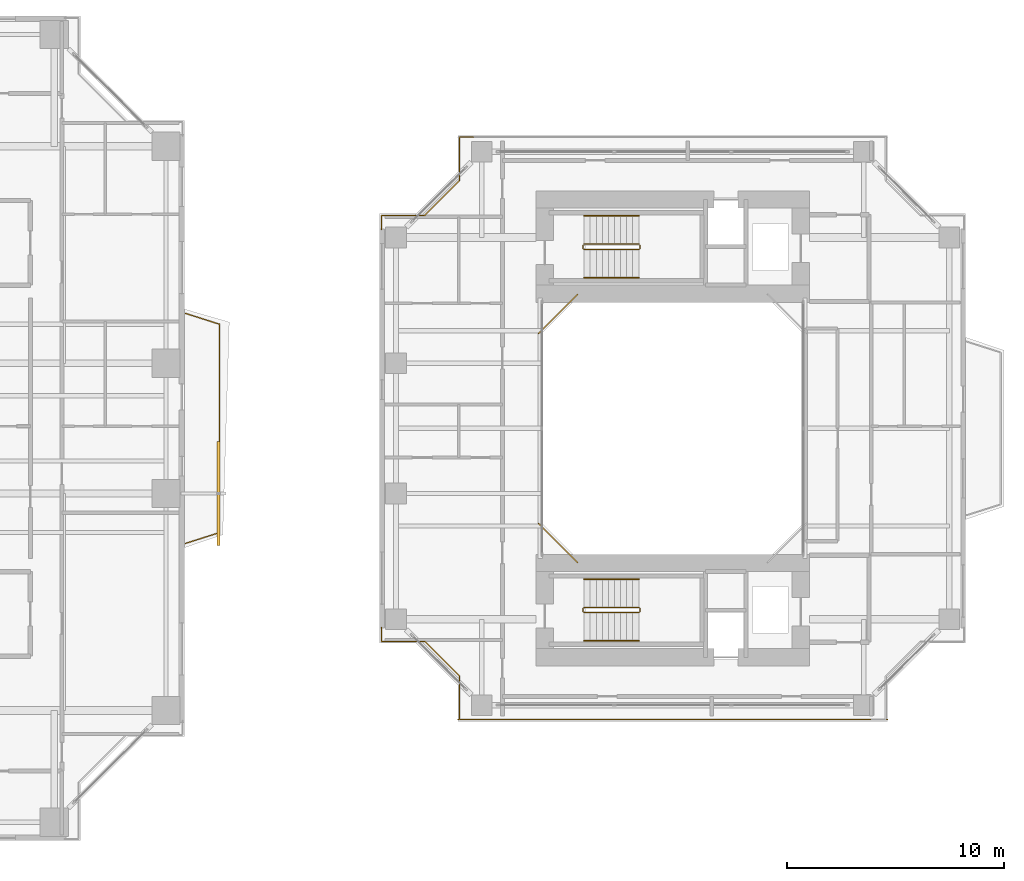
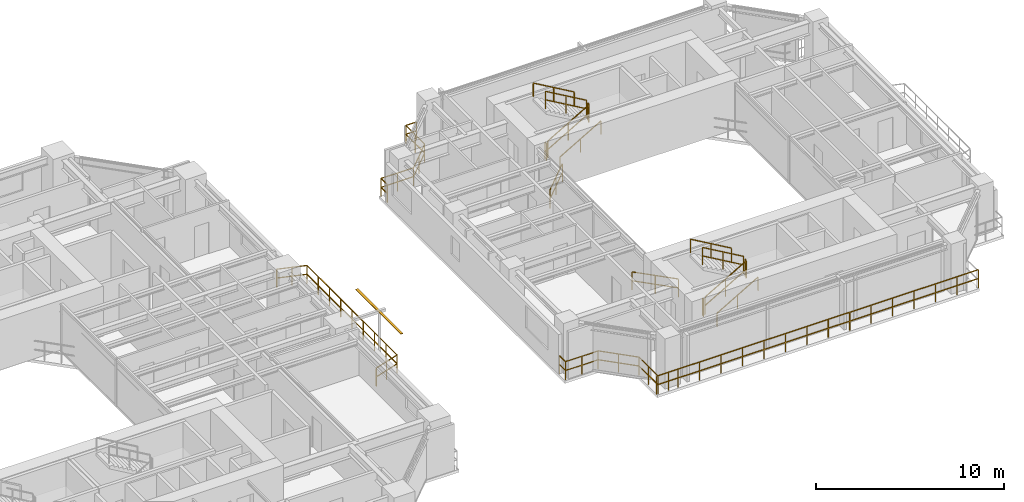
# One storey, part 22 of 24: 18 railings, 1 shading device.
"""IFC4 building model written with IfcOpenShell, lengths in metres."""

from ifc_helpers import new_model, si_unit, direction, frame, origin, origin_2d, place, context, subcontext, project, spatial, rectangle, extrude, source, transform, mapped, material, material_profile, profile_set, type_object, element, save


model = new_model("IFC4")

# Units and contexts
model_context = context("Model", 3, precision=1e-05, world=origin(), true_north=direction((0.0, 1.0)))
body_context = subcontext(model_context, "Body", "Model", "MODEL_VIEW")
ifc_project = project(units=[si_unit("LENGTHUNIT", "METRE"), si_unit("AREAUNIT", "SQUARE_METRE"), si_unit("VOLUMEUNIT", "CUBIC_METRE"), si_unit("PLANEANGLEUNIT", "RADIAN"), si_unit("MASSUNIT", "GRAM", prefix="KILO"), si_unit("THERMODYNAMICTEMPERATUREUNIT", "KELVIN"), si_unit("POWERUNIT", "WATT")], contexts=[model_context])

# Site, building, storey
site_placement = place(None, origin())
site = spatial("IfcSite", under=ifc_project, at=site_placement, CompositionType="ELEMENT")
building_placement = place(site_placement, origin())
building = spatial("IfcBuilding", under=site, at=building_placement, Name="Qiaomeng Ring Towers", CompositionType="ELEMENT")
storey_placement = place(building_placement, frame((0.0, 0.0, 42.5)))
storey = spatial("IfcBuildingStorey", under=building, at=storey_placement, Name="L11", CompositionType="ELEMENT", Elevation=42.5)

# Railings
ifc_material_1 = material(Name="Low-E pale-green laminated safety glass", Category="glass")
railing_type_1 = type_object("IfcRailingType", Name="ARC-RL-BAL1", PredefinedType="BALUSTRADE", material=ifc_material_1)
railing_1_placement = place(storey_placement, frame((38.050048828125, 17.699951171875, 0.0)))
element("IfcRailing", 1, at=railing_1_placement, inside=storey, type_object=railing_type_1, Name="L11 Balustrade ARC-BAL-L11-T1-E", PredefinedType="BALUSTRADE", context=body_context, shape_type="SweptSolid", body=[
    extrude(rectangle(XDim=0.048095703125, YDim=0.048095703125, at=origin_2d()), frame((0.0, 0.0, 1.17578125), z_axis=(0.952849860715, 0.303442157479, 0.0), x_axis=(-0.303442157479, 0.952849860715, 0.0)), (0.0, 0.0, 1.0), 1.647705078125),
    extrude(rectangle(XDim=0.048095703125, YDim=0.048095703125, at=origin_2d()), frame((0.0, 0.0, 0.60009765625), z_axis=(0.952849860715, 0.303442157479, 0.0), x_axis=(-0.303442157479, 0.952849860715, 0.0)), (0.0, 0.0, 1.0), 1.647705078125),
    extrude(rectangle(XDim=0.048095703125, YDim=0.048095703125, at=origin_2d()), frame((1.570068359375, 0.5, 1.17578125), z_axis=(0.0, 1.0, 0.0), x_axis=(-1.0, 0.0, 0.0)), (0.0, 0.0, 1.0), 9.60009765625),
    extrude(rectangle(XDim=0.048095703125, YDim=0.048095703125, at=origin_2d()), frame((1.570068359375, 0.5, 0.60009765625), z_axis=(0.0, 1.0, 0.0), x_axis=(-1.0, 0.0, 0.0)), (0.0, 0.0, 1.0), 9.60009765625),
    extrude(rectangle(XDim=0.048095703125, YDim=0.048095703125, at=origin_2d()), frame((1.570068359375, 10.10009765625, 1.17578125), z_axis=(-0.952849860715, 0.303442157479, 0.0), x_axis=(-0.303442157479, -0.952849860715, 0.0)), (0.0, 0.0, 1.0), 1.647705078125),
    extrude(rectangle(XDim=0.048095703125, YDim=0.048095703125, at=origin_2d()), frame((1.570068359375, 10.10009765625, 0.60009765625), z_axis=(-0.952849860715, 0.303442157479, 0.0), x_axis=(-0.303442157479, -0.952849860715, 0.0)), (0.0, 0.0, 1.0), 1.647705078125),
    extrude(rectangle(XDim=0.0419921875, YDim=0.0419921875, at=origin_2d()), origin(), (0.0, 0.0, 1.0), 1.15185546875),
    extrude(rectangle(XDim=0.0419921875, YDim=0.0419921875, at=origin_2d()), frame((0.78515625, 0.25, 0.0)), (0.0, 0.0, 1.0), 1.15185546875),
    extrude(rectangle(XDim=0.0419921875, YDim=0.0419921875, at=origin_2d()), frame((1.570068359375, 0.5, 0.0)), (0.0, 0.0, 1.0), 1.15185546875),
    extrude(rectangle(XDim=0.0419921875, YDim=0.0419921875, at=origin_2d()), frame((1.570068359375, 1.699951171875, 0.0)), (0.0, 0.0, 1.0), 1.15185546875),
    extrude(rectangle(XDim=0.0419921875, YDim=0.0419921875, at=origin_2d()), frame((1.570068359375, 2.89990234375, 0.0)), (0.0, 0.0, 1.0), 1.15185546875),
    extrude(rectangle(XDim=0.0419921875, YDim=0.0419921875, at=origin_2d()), frame((1.570068359375, 4.10009765625, 0.0)), (0.0, 0.0, 1.0), 1.15185546875),
    extrude(rectangle(XDim=0.0419921875, YDim=0.0419921875, at=origin_2d()), frame((1.570068359375, 5.300048828125, 0.0)), (0.0, 0.0, 1.0), 1.15185546875),
    extrude(rectangle(XDim=0.0419921875, YDim=0.0419921875, at=origin_2d()), frame((1.570068359375, 6.5, 0.0)), (0.0, 0.0, 1.0), 1.15185546875),
    extrude(rectangle(XDim=0.0419921875, YDim=0.0419921875, at=origin_2d()), frame((1.570068359375, 7.7001953125, 0.0)), (0.0, 0.0, 1.0), 1.15185546875),
    extrude(rectangle(XDim=0.0419921875, YDim=0.0419921875, at=origin_2d()), frame((1.570068359375, 8.900146484375, 0.0)), (0.0, 0.0, 1.0), 1.15185546875),
    extrude(rectangle(XDim=0.0419921875, YDim=0.0419921875, at=origin_2d()), frame((1.570068359375, 10.10009765625, 0.0)), (0.0, 0.0, 1.0), 1.15185546875),
    extrude(rectangle(XDim=0.0419921875, YDim=0.0419921875, at=origin_2d()), frame((0.78515625, 10.35009765625, 0.0)), (0.0, 0.0, 1.0), 1.15185546875),
    extrude(rectangle(XDim=0.0419921875, YDim=0.0419921875, at=origin_2d()), frame((0.0, 10.60009765625, 0.0)), (0.0, 0.0, 1.0), 1.15185546875),
])
railing_2_placement = place(storey_placement, frame((56.1201171875, 29.179931640625, 0.0)))
element("IfcRailing", 2, at=railing_2_placement, inside=storey, type_object=railing_type_1, Name="L11 Balustrade ARC-BAL-WELL2-L11-3", PredefinedType="BALUSTRADE", context=body_context, shape_type="SweptSolid", body=[
    extrude(rectangle(XDim=0.048095703125, YDim=0.048095703125, at=origin_2d()), frame((0.0, 0.0, 1.17578125), z_axis=(-0.707106781187, -0.707106781187, 0.0), x_axis=(0.707106781187, -0.707106781187, 0.0)), (0.0, 0.0, 1.0), 2.545654296875),
    extrude(rectangle(XDim=0.048095703125, YDim=0.048095703125, at=origin_2d()), frame((0.0, 0.0, 0.60009765625), z_axis=(-0.707106781187, -0.707106781187, 0.0), x_axis=(0.707106781187, -0.707106781187, 0.0)), (0.0, 0.0, 1.0), 2.545654296875),
    extrude(rectangle(XDim=0.0419921875, YDim=0.0419921875, at=origin_2d()), origin(), (0.0, 0.0, 1.0), 1.15185546875),
    extrude(rectangle(XDim=0.0419921875, YDim=0.0419921875, at=origin_2d()), frame((-0.89990234375, -0.89990234375, 0.0)), (0.0, 0.0, 1.0), 1.15185546875),
    extrude(rectangle(XDim=0.0419921875, YDim=0.0419921875, at=origin_2d()), frame((-1.800048828125, -1.800048828125, 0.0)), (0.0, 0.0, 1.0), 1.15185546875),
])
railing_3_placement = place(storey_placement, frame((54.320068359375, 18.6201171875, 0.0)))
element("IfcRailing", 3, at=railing_3_placement, inside=storey, type_object=railing_type_1, Name="L11 Balustrade ARC-BAL-WELL2-L11-4", PredefinedType="BALUSTRADE", context=body_context, shape_type="SweptSolid", body=[
    extrude(rectangle(XDim=0.048095703125, YDim=0.048095703125, at=origin_2d()), frame((0.0, 0.0, 1.17578125), z_axis=(0.707106781187, -0.707106781187, 0.0), x_axis=(0.707106781187, 0.707106781187, 0.0)), (0.0, 0.0, 1.0), 2.545654296875),
    extrude(rectangle(XDim=0.048095703125, YDim=0.048095703125, at=origin_2d()), frame((0.0, 0.0, 0.60009765625), z_axis=(0.707106781187, -0.707106781187, 0.0), x_axis=(0.707106781187, 0.707106781187, 0.0)), (0.0, 0.0, 1.0), 2.545654296875),
    extrude(rectangle(XDim=0.0419921875, YDim=0.0419921875, at=origin_2d()), origin(), (0.0, 0.0, 1.0), 1.15185546875),
    extrude(rectangle(XDim=0.0419921875, YDim=0.0419921875, at=origin_2d()), frame((0.89990234375, -0.89990234375, 0.0)), (0.0, 0.0, 1.0), 1.15185546875),
    extrude(rectangle(XDim=0.0419921875, YDim=0.0419921875, at=origin_2d()), frame((1.800048828125, -1.800048828125, 0.0)), (0.0, 0.0, 1.0), 1.15185546875),
])
railing_4_placement = place(storey_placement, frame((51.330078125, 36.419921875, 0.0)))
element("IfcRailing", 4, at=railing_4_placement, inside=storey, type_object=railing_type_1, Name="L11 Balustrade ARC-BAL-NOTCH2-L11-NW", PredefinedType="BALUSTRADE", context=body_context, shape_type="SweptSolid", body=[
    extrude(rectangle(XDim=0.048095703125, YDim=0.048095703125, at=origin_2d()), frame((0.0, 0.0, 1.17578125), z_axis=(-1.0, 0.0, 0.0), x_axis=(0.0, -1.0, 0.0)), (0.0, 0.0, 1.0), 0.650146484375),
    extrude(rectangle(XDim=0.048095703125, YDim=0.048095703125, at=origin_2d()), frame((0.0, 0.0, 0.60009765625), z_axis=(-1.0, 0.0, 0.0), x_axis=(0.0, -1.0, 0.0)), (0.0, 0.0, 1.0), 0.650146484375),
    extrude(rectangle(XDim=0.048095703125, YDim=0.048095703125, at=origin_2d()), frame((-0.650146484375, 0.0, 1.17578125), z_axis=(0.0, -1.0, 0.0), x_axis=(1.0, 0.0, 0.0)), (0.0, 0.0, 1.0), 2.0),
    extrude(rectangle(XDim=0.048095703125, YDim=0.048095703125, at=origin_2d()), frame((-0.650146484375, 0.0, 0.60009765625), z_axis=(0.0, -1.0, 0.0), x_axis=(1.0, 0.0, 0.0)), (0.0, 0.0, 1.0), 2.0),
    extrude(rectangle(XDim=0.048095703125, YDim=0.048095703125, at=origin_2d()), frame((-0.650146484375, -2.0, 1.17578125), z_axis=(-0.707106781187, -0.707106781187, 0.0), x_axis=(0.707106781187, -0.707106781187, 0.0)), (0.0, 0.0, 1.0), 2.262451171875),
    extrude(rectangle(XDim=0.048095703125, YDim=0.048095703125, at=origin_2d()), frame((-0.650146484375, -2.0, 0.60009765625), z_axis=(-0.707106781187, -0.707106781187, 0.0), x_axis=(0.707106781187, -0.707106781187, 0.0)), (0.0, 0.0, 1.0), 2.262451171875),
    extrude(rectangle(XDim=0.048095703125, YDim=0.048095703125, at=origin_2d()), frame((-2.25, -3.599853515625, 1.17578125), z_axis=(-1.0, 0.0, 0.0), x_axis=(0.0, -1.0, 0.0)), (0.0, 0.0, 1.0), 2.0),
    extrude(rectangle(XDim=0.048095703125, YDim=0.048095703125, at=origin_2d()), frame((-2.25, -3.599853515625, 0.60009765625), z_axis=(-1.0, 0.0, 0.0), x_axis=(0.0, -1.0, 0.0)), (0.0, 0.0, 1.0), 2.0),
    extrude(rectangle(XDim=0.048095703125, YDim=0.048095703125, at=origin_2d()), frame((-4.25, -3.599853515625, 1.17578125), z_axis=(0.0, -1.0, 0.0), x_axis=(1.0, 0.0, 0.0)), (0.0, 0.0, 1.0), 0.650146484375),
    extrude(rectangle(XDim=0.048095703125, YDim=0.048095703125, at=origin_2d()), frame((-4.25, -3.599853515625, 0.60009765625), z_axis=(0.0, -1.0, 0.0), x_axis=(1.0, 0.0, 0.0)), (0.0, 0.0, 1.0), 0.650146484375),
    extrude(rectangle(XDim=0.0419921875, YDim=0.0419921875, at=origin_2d()), origin(), (0.0, 0.0, 1.0), 1.15185546875),
    extrude(rectangle(XDim=0.0419921875, YDim=0.0419921875, at=origin_2d()), frame((-0.650146484375, 0.0, 0.0)), (0.0, 0.0, 1.0), 1.15185546875),
    extrude(rectangle(XDim=0.0419921875, YDim=0.0419921875, at=origin_2d()), frame((-0.650146484375, -1.0, 0.0)), (0.0, 0.0, 1.0), 1.15185546875),
    extrude(rectangle(XDim=0.0419921875, YDim=0.0419921875, at=origin_2d()), frame((-0.650146484375, -2.0, 0.0)), (0.0, 0.0, 1.0), 1.15185546875),
    extrude(rectangle(XDim=0.0419921875, YDim=0.0419921875, at=origin_2d()), frame((-1.4501953125, -2.7998046875, 0.0)), (0.0, 0.0, 1.0), 1.15185546875),
    extrude(rectangle(XDim=0.0419921875, YDim=0.0419921875, at=origin_2d()), frame((-2.25, -3.599853515625, 0.0)), (0.0, 0.0, 1.0), 1.15185546875),
    extrude(rectangle(XDim=0.0419921875, YDim=0.0419921875, at=origin_2d()), frame((-3.25, -3.599853515625, 0.0)), (0.0, 0.0, 1.0), 1.15185546875),
    extrude(rectangle(XDim=0.0419921875, YDim=0.0419921875, at=origin_2d()), frame((-4.25, -3.599853515625, 0.0)), (0.0, 0.0, 1.0), 1.15185546875),
    extrude(rectangle(XDim=0.0419921875, YDim=0.0419921875, at=origin_2d()), frame((-4.25, -4.25, 0.0)), (0.0, 0.0, 1.0), 1.15185546875),
])
railing_5_placement = place(storey_placement, frame((47.080078125, 13.830078125, 0.0)))
element("IfcRailing", 5, at=railing_5_placement, inside=storey, type_object=railing_type_1, Name="L11 Balustrade ARC-BAL-NOTCH2-L11-SW", PredefinedType="BALUSTRADE", context=body_context, shape_type="SweptSolid", body=[
    extrude(rectangle(XDim=0.048095703125, YDim=0.048095703125, at=origin_2d()), frame((0.0, 0.0, 1.17578125), z_axis=(0.0, -1.0, 0.0), x_axis=(1.0, 0.0, 0.0)), (0.0, 0.0, 1.0), 0.650146484375),
    extrude(rectangle(XDim=0.048095703125, YDim=0.048095703125, at=origin_2d()), frame((0.0, 0.0, 0.60009765625), z_axis=(0.0, -1.0, 0.0), x_axis=(1.0, 0.0, 0.0)), (0.0, 0.0, 1.0), 0.650146484375),
    extrude(rectangle(XDim=0.048095703125, YDim=0.048095703125, at=origin_2d()), frame((0.0, -0.650146484375, 1.17578125), z_axis=(1.0, 0.0, 0.0), x_axis=(0.0, 1.0, 0.0)), (0.0, 0.0, 1.0), 2.0),
    extrude(rectangle(XDim=0.048095703125, YDim=0.048095703125, at=origin_2d()), frame((0.0, -0.650146484375, 0.60009765625), z_axis=(1.0, 0.0, 0.0), x_axis=(0.0, 1.0, 0.0)), (0.0, 0.0, 1.0), 2.0),
    extrude(rectangle(XDim=0.048095703125, YDim=0.048095703125, at=origin_2d()), frame((2.0, -0.650146484375, 1.17578125), z_axis=(0.707106781187, -0.707106781187, 0.0), x_axis=(0.707106781187, 0.707106781187, 0.0)), (0.0, 0.0, 1.0), 2.262451171875),
    extrude(rectangle(XDim=0.048095703125, YDim=0.048095703125, at=origin_2d()), frame((2.0, -0.650146484375, 0.60009765625), z_axis=(0.707106781187, -0.707106781187, 0.0), x_axis=(0.707106781187, 0.707106781187, 0.0)), (0.0, 0.0, 1.0), 2.262451171875),
    extrude(rectangle(XDim=0.048095703125, YDim=0.048095703125, at=origin_2d()), frame((3.599853515625, -2.25, 1.17578125), z_axis=(0.0, -1.0, 0.0), x_axis=(1.0, 0.0, 0.0)), (0.0, 0.0, 1.0), 2.0),
    extrude(rectangle(XDim=0.048095703125, YDim=0.048095703125, at=origin_2d()), frame((3.599853515625, -2.25, 0.60009765625), z_axis=(0.0, -1.0, 0.0), x_axis=(1.0, 0.0, 0.0)), (0.0, 0.0, 1.0), 2.0),
    extrude(rectangle(XDim=0.048095703125, YDim=0.048095703125, at=origin_2d()), frame((3.599853515625, -4.25, 1.17578125), z_axis=(1.0, 0.0, 0.0), x_axis=(0.0, 1.0, 0.0)), (0.0, 0.0, 1.0), 0.650146484375),
    extrude(rectangle(XDim=0.048095703125, YDim=0.048095703125, at=origin_2d()), frame((3.599853515625, -4.25, 0.60009765625), z_axis=(1.0, 0.0, 0.0), x_axis=(0.0, 1.0, 0.0)), (0.0, 0.0, 1.0), 0.650146484375),
    extrude(rectangle(XDim=0.0419921875, YDim=0.0419921875, at=origin_2d()), origin(), (0.0, 0.0, 1.0), 1.15185546875),
    extrude(rectangle(XDim=0.0419921875, YDim=0.0419921875, at=origin_2d()), frame((0.0, -0.650146484375, 0.0)), (0.0, 0.0, 1.0), 1.15185546875),
    extrude(rectangle(XDim=0.0419921875, YDim=0.0419921875, at=origin_2d()), frame((1.0, -0.650146484375, 0.0)), (0.0, 0.0, 1.0), 1.15185546875),
    extrude(rectangle(XDim=0.0419921875, YDim=0.0419921875, at=origin_2d()), frame((2.0, -0.650146484375, 0.0)), (0.0, 0.0, 1.0), 1.15185546875),
    extrude(rectangle(XDim=0.0419921875, YDim=0.0419921875, at=origin_2d()), frame((2.7998046875, -1.4501953125, 0.0)), (0.0, 0.0, 1.0), 1.15185546875),
    extrude(rectangle(XDim=0.0419921875, YDim=0.0419921875, at=origin_2d()), frame((3.599853515625, -2.25, 0.0)), (0.0, 0.0, 1.0), 1.15185546875),
    extrude(rectangle(XDim=0.0419921875, YDim=0.0419921875, at=origin_2d()), frame((3.599853515625, -3.25, 0.0)), (0.0, 0.0, 1.0), 1.15185546875),
    extrude(rectangle(XDim=0.0419921875, YDim=0.0419921875, at=origin_2d()), frame((3.599853515625, -4.25, 0.0)), (0.0, 0.0, 1.0), 1.15185546875),
    extrude(rectangle(XDim=0.0419921875, YDim=0.0419921875, at=origin_2d()), frame((4.25, -4.25, 0.0)), (0.0, 0.0, 1.0), 1.15185546875),
])
railing_6_placement = place(storey_placement, frame((50.60009765625, 9.580078125, 0.0)))
element("IfcRailing", 6, at=railing_6_placement, inside=storey, type_object=railing_type_1, Name="L11 Balustrade ARC-BAL-T2S-L11", PredefinedType="BALUSTRADE", context=body_context, shape_type="SweptSolid", body=[
    extrude(rectangle(XDim=0.048095703125, YDim=0.048095703125, at=origin_2d()), frame((0.0, 0.0, 1.17578125), z_axis=(1.0, 0.0, 0.0), x_axis=(0.0, 1.0, 0.0)), (0.0, 0.0, 1.0), 19.7998046875),
    extrude(rectangle(XDim=0.048095703125, YDim=0.048095703125, at=origin_2d()), frame((0.0, 0.0, 0.60009765625), z_axis=(1.0, 0.0, 0.0), x_axis=(0.0, 1.0, 0.0)), (0.0, 0.0, 1.0), 19.7998046875),
    extrude(rectangle(XDim=0.0419921875, YDim=0.0419921875, at=origin_2d()), origin(), (0.0, 0.0, 1.0), 1.15185546875),
    extrude(rectangle(XDim=0.0419921875, YDim=0.0419921875, at=origin_2d()), frame((1.320068359375, 0.0, 0.0)), (0.0, 0.0, 1.0), 1.15185546875),
    extrude(rectangle(XDim=0.0419921875, YDim=0.0419921875, at=origin_2d()), frame((2.639892578125, 0.0, 0.0)), (0.0, 0.0, 1.0), 1.15185546875),
    extrude(rectangle(XDim=0.0419921875, YDim=0.0419921875, at=origin_2d()), frame((3.9599609375, 0.0, 0.0)), (0.0, 0.0, 1.0), 1.15185546875),
    extrude(rectangle(XDim=0.0419921875, YDim=0.0419921875, at=origin_2d()), frame((5.280029296875, 0.0, 0.0)), (0.0, 0.0, 1.0), 1.15185546875),
    extrude(rectangle(XDim=0.0419921875, YDim=0.0419921875, at=origin_2d()), frame((6.599853515625, 0.0, 0.0)), (0.0, 0.0, 1.0), 1.15185546875),
    extrude(rectangle(XDim=0.0419921875, YDim=0.0419921875, at=origin_2d()), frame((7.919921875, 0.0, 0.0)), (0.0, 0.0, 1.0), 1.15185546875),
    extrude(rectangle(XDim=0.0419921875, YDim=0.0419921875, at=origin_2d()), frame((9.239990234375, 0.0, 0.0)), (0.0, 0.0, 1.0), 1.15185546875),
    extrude(rectangle(XDim=0.0419921875, YDim=0.0419921875, at=origin_2d()), frame((10.559814453125, 0.0, 0.0)), (0.0, 0.0, 1.0), 1.15185546875),
    extrude(rectangle(XDim=0.0419921875, YDim=0.0419921875, at=origin_2d()), frame((11.8798828125, 0.0, 0.0)), (0.0, 0.0, 1.0), 1.15185546875),
    extrude(rectangle(XDim=0.0419921875, YDim=0.0419921875, at=origin_2d()), frame((13.199951171875, 0.0, 0.0)), (0.0, 0.0, 1.0), 1.15185546875),
    extrude(rectangle(XDim=0.0419921875, YDim=0.0419921875, at=origin_2d()), frame((14.519775390625, 0.0, 0.0)), (0.0, 0.0, 1.0), 1.15185546875),
    extrude(rectangle(XDim=0.0419921875, YDim=0.0419921875, at=origin_2d()), frame((15.83984375, 0.0, 0.0)), (0.0, 0.0, 1.0), 1.15185546875),
    extrude(rectangle(XDim=0.0419921875, YDim=0.0419921875, at=origin_2d()), frame((17.159912109375, 0.0, 0.0)), (0.0, 0.0, 1.0), 1.15185546875),
    extrude(rectangle(XDim=0.0419921875, YDim=0.0419921875, at=origin_2d()), frame((18.479736328125, 0.0, 0.0)), (0.0, 0.0, 1.0), 1.15185546875),
    extrude(rectangle(XDim=0.0419921875, YDim=0.0419921875, at=origin_2d()), frame((19.7998046875, 0.0, 0.0)), (0.0, 0.0, 1.0), 1.15185546875),
])
ifc_material_2 = material(Name="Galvanised steel", Category="steel")
railing_type_2 = type_object("IfcRailingType", Name="ARC-RL-GUARD", PredefinedType="GUARDRAIL", material=ifc_material_2)
railing_7_placement = place(storey_placement, frame((56.419921875, 31.25, 0.16259765625)))
element("IfcRailing", 7, at=railing_7_placement, inside=storey, type_object=railing_type_2, Name="L11 ST5 stair guard 1", PredefinedType="GUARDRAIL", context=body_context, shape_type="SweptSolid", body=[
    extrude(rectangle(XDim=0.048095703125, YDim=0.048095703125, at=origin_2d()), frame((0.0, 0.0, 1.1259765625), z_axis=(0.864913338283, 0.0, 0.50192122615), x_axis=(0.0, 1.0, 0.0)), (0.0, 0.0, 1.0), 2.91357421875),
    extrude(rectangle(XDim=0.048095703125, YDim=0.048095703125, at=origin_2d()), frame((0.0, 0.0, 0.574951171875), z_axis=(0.864913338283, 0.0, 0.50192122615), x_axis=(0.0, 1.0, 0.0)), (0.0, 0.0, 1.0), 2.91357421875),
    extrude(rectangle(XDim=0.0419921875, YDim=0.0419921875, at=origin_2d()), origin(), (0.0, 0.0, 1.0), 1.101806640625),
    extrude(rectangle(XDim=0.0419921875, YDim=0.0419921875, at=origin_2d()), frame((1.260009765625, 0.0, 0.731201171875)), (0.0, 0.0, 1.0), 1.101806640625),
    extrude(rectangle(XDim=0.0419921875, YDim=0.0419921875, at=origin_2d()), frame((2.52001953125, 0.0, 1.46240234375)), (0.0, 0.0, 1.0), 1.101806640625),
])
railing_8_placement = place(storey_placement, frame((58.989990234375, 31.300048828125, 1.625)))
element("IfcRailing", 8, at=railing_8_placement, inside=storey, type_object=railing_type_2, Name="L11 ST5 stair guard 2", PredefinedType="GUARDRAIL", context=body_context, shape_type="SweptSolid", body=[
    extrude(rectangle(XDim=0.048095703125, YDim=0.048095703125, at=origin_2d()), frame((0.0, 0.0, 1.1259765625), z_axis=(0.0, 1.0, 0.0), x_axis=(-1.0, 0.0, 0.0)), (0.0, 0.0, 1.0), 0.139892578125),
    extrude(rectangle(XDim=0.048095703125, YDim=0.048095703125, at=origin_2d()), frame((0.0, 0.0, 0.574951171875), z_axis=(0.0, 1.0, 0.0), x_axis=(-1.0, 0.0, 0.0)), (0.0, 0.0, 1.0), 0.139892578125),
    extrude(rectangle(XDim=0.0419921875, YDim=0.0419921875, at=origin_2d()), origin(), (0.0, 0.0, 1.0), 1.101806640625),
    extrude(rectangle(XDim=0.0419921875, YDim=0.0419921875, at=origin_2d()), frame((0.0, 0.139892578125, 0.0)), (0.0, 0.0, 1.0), 1.101806640625),
])
railing_9_placement = place(storey_placement, frame((58.93994140625, 31.489990234375, 1.78759765625)))
element("IfcRailing", 9, at=railing_9_placement, inside=storey, type_object=railing_type_2, Name="L11 ST5 stair guard 3", PredefinedType="GUARDRAIL", context=body_context, shape_type="SweptSolid", body=[
    extrude(rectangle(XDim=0.048095703125, YDim=0.048095703125, at=origin_2d()), frame((0.0, 0.0, 1.1259765625), z_axis=(-0.864913338283, 0.0, 0.50192122615), x_axis=(0.0, -1.0, 0.0)), (0.0, 0.0, 1.0), 2.91357421875),
    extrude(rectangle(XDim=0.048095703125, YDim=0.048095703125, at=origin_2d()), frame((0.0, 0.0, 0.574951171875), z_axis=(-0.864913338283, 0.0, 0.50192122615), x_axis=(0.0, -1.0, 0.0)), (0.0, 0.0, 1.0), 2.91357421875),
    extrude(rectangle(XDim=0.0419921875, YDim=0.0419921875, at=origin_2d()), origin(), (0.0, 0.0, 1.0), 1.101806640625),
    extrude(rectangle(XDim=0.0419921875, YDim=0.0419921875, at=origin_2d()), frame((-1.260009765625, 0.0, 0.731201171875)), (0.0, 0.0, 1.0), 1.101806640625),
    extrude(rectangle(XDim=0.0419921875, YDim=0.0419921875, at=origin_2d()), frame((-2.52001953125, 0.0, 1.46240234375)), (0.0, 0.0, 1.0), 1.101806640625),
])
railing_10_placement = place(storey_placement, frame((56.3701171875, 31.300048828125, 0.0)))
element("IfcRailing", 10, at=railing_10_placement, inside=storey, type_object=railing_type_2, Name="L11 ST5 stair guard 4", PredefinedType="GUARDRAIL", context=body_context, shape_type="SweptSolid", body=[
    extrude(rectangle(XDim=0.048095703125, YDim=0.048095703125, at=origin_2d()), frame((0.0, 0.0, 1.1259765625), z_axis=(0.0, 1.0, 0.0), x_axis=(-1.0, 0.0, 0.0)), (0.0, 0.0, 1.0), 0.139892578125),
    extrude(rectangle(XDim=0.048095703125, YDim=0.048095703125, at=origin_2d()), frame((0.0, 0.0, 0.574951171875), z_axis=(0.0, 1.0, 0.0), x_axis=(-1.0, 0.0, 0.0)), (0.0, 0.0, 1.0), 0.139892578125),
    extrude(rectangle(XDim=0.0419921875, YDim=0.0419921875, at=origin_2d()), origin(), (0.0, 0.0, 1.0), 1.101806640625),
    extrude(rectangle(XDim=0.0419921875, YDim=0.0419921875, at=origin_2d()), frame((0.0, 0.139892578125, 0.0)), (0.0, 0.0, 1.0), 1.101806640625),
])
railing_11_placement = place(storey_placement, frame((56.419921875, 14.510009765625, 0.16259765625)))
element("IfcRailing", 11, at=railing_11_placement, inside=storey, type_object=railing_type_2, Name="L11 ST6 stair guard 1", PredefinedType="GUARDRAIL", context=body_context, shape_type="SweptSolid", body=[
    extrude(rectangle(XDim=0.048095703125, YDim=0.048095703125, at=origin_2d()), frame((0.0, 0.0, 1.1259765625), z_axis=(0.864913338283, 0.0, 0.50192122615), x_axis=(0.0, 1.0, 0.0)), (0.0, 0.0, 1.0), 2.91357421875),
    extrude(rectangle(XDim=0.048095703125, YDim=0.048095703125, at=origin_2d()), frame((0.0, 0.0, 0.574951171875), z_axis=(0.864913338283, 0.0, 0.50192122615), x_axis=(0.0, 1.0, 0.0)), (0.0, 0.0, 1.0), 2.91357421875),
    extrude(rectangle(XDim=0.0419921875, YDim=0.0419921875, at=origin_2d()), origin(), (0.0, 0.0, 1.0), 1.101806640625),
    extrude(rectangle(XDim=0.0419921875, YDim=0.0419921875, at=origin_2d()), frame((1.260009765625, 0.0, 0.731201171875)), (0.0, 0.0, 1.0), 1.101806640625),
    extrude(rectangle(XDim=0.0419921875, YDim=0.0419921875, at=origin_2d()), frame((2.52001953125, 0.0, 1.46240234375)), (0.0, 0.0, 1.0), 1.101806640625),
])
railing_12_placement = place(storey_placement, frame((58.989990234375, 14.56005859375, 1.625)))
element("IfcRailing", 12, at=railing_12_placement, inside=storey, type_object=railing_type_2, Name="L11 ST6 stair guard 2", PredefinedType="GUARDRAIL", context=body_context, shape_type="SweptSolid", body=[
    extrude(rectangle(XDim=0.048095703125, YDim=0.048095703125, at=origin_2d()), frame((0.0, 0.0, 1.1259765625), z_axis=(0.0, 1.0, 0.0), x_axis=(-1.0, 0.0, 0.0)), (0.0, 0.0, 1.0), 0.139892578125),
    extrude(rectangle(XDim=0.048095703125, YDim=0.048095703125, at=origin_2d()), frame((0.0, 0.0, 0.574951171875), z_axis=(0.0, 1.0, 0.0), x_axis=(-1.0, 0.0, 0.0)), (0.0, 0.0, 1.0), 0.139892578125),
    extrude(rectangle(XDim=0.0419921875, YDim=0.0419921875, at=origin_2d()), origin(), (0.0, 0.0, 1.0), 1.101806640625),
    extrude(rectangle(XDim=0.0419921875, YDim=0.0419921875, at=origin_2d()), frame((0.0, 0.139892578125, 0.0)), (0.0, 0.0, 1.0), 1.101806640625),
])
railing_13_placement = place(storey_placement, frame((58.93994140625, 14.75, 1.78759765625)))
element("IfcRailing", 13, at=railing_13_placement, inside=storey, type_object=railing_type_2, Name="L11 ST6 stair guard 3", PredefinedType="GUARDRAIL", context=body_context, shape_type="SweptSolid", body=[
    extrude(rectangle(XDim=0.048095703125, YDim=0.048095703125, at=origin_2d()), frame((0.0, 0.0, 1.1259765625), z_axis=(-0.864913338283, 0.0, 0.50192122615), x_axis=(0.0, -1.0, 0.0)), (0.0, 0.0, 1.0), 2.91357421875),
    extrude(rectangle(XDim=0.048095703125, YDim=0.048095703125, at=origin_2d()), frame((0.0, 0.0, 0.574951171875), z_axis=(-0.864913338283, 0.0, 0.50192122615), x_axis=(0.0, -1.0, 0.0)), (0.0, 0.0, 1.0), 2.91357421875),
    extrude(rectangle(XDim=0.0419921875, YDim=0.0419921875, at=origin_2d()), origin(), (0.0, 0.0, 1.0), 1.101806640625),
    extrude(rectangle(XDim=0.0419921875, YDim=0.0419921875, at=origin_2d()), frame((-1.260009765625, 0.0, 0.731201171875)), (0.0, 0.0, 1.0), 1.101806640625),
    extrude(rectangle(XDim=0.0419921875, YDim=0.0419921875, at=origin_2d()), frame((-2.52001953125, 0.0, 1.46240234375)), (0.0, 0.0, 1.0), 1.101806640625),
])
railing_14_placement = place(storey_placement, frame((56.3701171875, 14.56005859375, 0.0)))
element("IfcRailing", 14, at=railing_14_placement, inside=storey, type_object=railing_type_2, Name="L11 ST6 stair guard 4", PredefinedType="GUARDRAIL", context=body_context, shape_type="SweptSolid", body=[
    extrude(rectangle(XDim=0.048095703125, YDim=0.048095703125, at=origin_2d()), frame((0.0, 0.0, 1.1259765625), z_axis=(0.0, 1.0, 0.0), x_axis=(-1.0, 0.0, 0.0)), (0.0, 0.0, 1.0), 0.139892578125),
    extrude(rectangle(XDim=0.048095703125, YDim=0.048095703125, at=origin_2d()), frame((0.0, 0.0, 0.574951171875), z_axis=(0.0, 1.0, 0.0), x_axis=(-1.0, 0.0, 0.0)), (0.0, 0.0, 1.0), 0.139892578125),
    extrude(rectangle(XDim=0.0419921875, YDim=0.0419921875, at=origin_2d()), origin(), (0.0, 0.0, 1.0), 1.101806640625),
    extrude(rectangle(XDim=0.0419921875, YDim=0.0419921875, at=origin_2d()), frame((0.0, 0.139892578125, 0.0)), (0.0, 0.0, 1.0), 1.101806640625),
])
ifc_material_3 = material(Name="Stainless steel 316", Category="steel")
railing_type_3 = type_object("IfcRailingType", Name="ARC-RL-HAND", PredefinedType="HANDRAIL", material=ifc_material_3)
railing_15_placement = place(storey_placement, frame((56.419921875, 29.949951171875, 0.16259765625)))
element("IfcRailing", 15, at=railing_15_placement, inside=storey, type_object=railing_type_3, Name="L11 ST5 stair handrail 1", PredefinedType="HANDRAIL", context=body_context, shape_type="SweptSolid", body=[
    extrude(rectangle(XDim=0.048095703125, YDim=0.048095703125, at=origin_2d()), frame((0.0, 0.0, 0.8759765625), z_axis=(0.864913338283, 0.0, 0.50192122615), x_axis=(0.0, 1.0, 0.0)), (0.0, 0.0, 1.0), 2.91357421875),
    extrude(rectangle(XDim=0.0419921875, YDim=0.0419921875, at=origin_2d()), origin(), (0.0, 0.0, 1.0), 0.851806640625),
    extrude(rectangle(XDim=0.0419921875, YDim=0.0419921875, at=origin_2d()), frame((1.260009765625, 0.0, 0.731201171875)), (0.0, 0.0, 1.0), 0.851806640625),
    extrude(rectangle(XDim=0.0419921875, YDim=0.0419921875, at=origin_2d()), frame((2.52001953125, 0.0, 1.46240234375)), (0.0, 0.0, 1.0), 0.851806640625),
])
railing_16_placement = place(storey_placement, frame((58.93994140625, 32.7900390625, 1.78759765625)))
element("IfcRailing", 16, at=railing_16_placement, inside=storey, type_object=railing_type_3, Name="L11 ST5 stair handrail 2", PredefinedType="HANDRAIL", context=body_context, shape_type="SweptSolid", body=[
    extrude(rectangle(XDim=0.048095703125, YDim=0.048095703125, at=origin_2d()), frame((0.0, 0.0, 0.8759765625), z_axis=(-0.864913338283, 0.0, 0.50192122615), x_axis=(0.0, -1.0, 0.0)), (0.0, 0.0, 1.0), 2.91357421875),
    extrude(rectangle(XDim=0.0419921875, YDim=0.0419921875, at=origin_2d()), origin(), (0.0, 0.0, 1.0), 0.851806640625),
    extrude(rectangle(XDim=0.0419921875, YDim=0.0419921875, at=origin_2d()), frame((-1.260009765625, 0.0, 0.731201171875)), (0.0, 0.0, 1.0), 0.851806640625),
    extrude(rectangle(XDim=0.0419921875, YDim=0.0419921875, at=origin_2d()), frame((-2.52001953125, 0.0, 1.46240234375)), (0.0, 0.0, 1.0), 0.851806640625),
])
railing_17_placement = place(storey_placement, frame((56.419921875, 13.2099609375, 0.16259765625)))
element("IfcRailing", 17, at=railing_17_placement, inside=storey, type_object=railing_type_3, Name="L11 ST6 stair handrail 1", PredefinedType="HANDRAIL", context=body_context, shape_type="SweptSolid", body=[
    extrude(rectangle(XDim=0.048095703125, YDim=0.048095703125, at=origin_2d()), frame((0.0, 0.0, 0.8759765625), z_axis=(0.864913338283, 0.0, 0.50192122615), x_axis=(0.0, 1.0, 0.0)), (0.0, 0.0, 1.0), 2.91357421875),
    extrude(rectangle(XDim=0.0419921875, YDim=0.0419921875, at=origin_2d()), origin(), (0.0, 0.0, 1.0), 0.851806640625),
    extrude(rectangle(XDim=0.0419921875, YDim=0.0419921875, at=origin_2d()), frame((1.260009765625, 0.0, 0.731201171875)), (0.0, 0.0, 1.0), 0.851806640625),
    extrude(rectangle(XDim=0.0419921875, YDim=0.0419921875, at=origin_2d()), frame((2.52001953125, 0.0, 1.46240234375)), (0.0, 0.0, 1.0), 0.851806640625),
])
railing_18_placement = place(storey_placement, frame((58.93994140625, 16.050048828125, 1.78759765625)))
element("IfcRailing", 18, at=railing_18_placement, inside=storey, type_object=railing_type_3, Name="L11 ST6 stair handrail 2", PredefinedType="HANDRAIL", context=body_context, shape_type="SweptSolid", body=[
    extrude(rectangle(XDim=0.048095703125, YDim=0.048095703125, at=origin_2d()), frame((0.0, 0.0, 0.8759765625), z_axis=(-0.864913338283, 0.0, 0.50192122615), x_axis=(0.0, -1.0, 0.0)), (0.0, 0.0, 1.0), 2.91357421875),
    extrude(rectangle(XDim=0.0419921875, YDim=0.0419921875, at=origin_2d()), origin(), (0.0, 0.0, 1.0), 0.851806640625),
    extrude(rectangle(XDim=0.0419921875, YDim=0.0419921875, at=origin_2d()), frame((-1.260009765625, 0.0, 0.731201171875)), (0.0, 0.0, 1.0), 0.851806640625),
    extrude(rectangle(XDim=0.0419921875, YDim=0.0419921875, at=origin_2d()), frame((-2.52001953125, 0.0, 1.46240234375)), (0.0, 0.0, 1.0), 0.851806640625),
])

# Shading device
ifc_material_4 = material(Name="Fluorocarbon dark-grey aluminium", Category="aluminium")
ifc_material_profile = material_profile(ifc_material_4, rectangle(XDim=0.14990234375, YDim=0.034912109375, at=origin_2d()), Name="LV BLADE 150x35")
ifc_profile_set = profile_set([ifc_material_profile], Name="Fluorocarbon dark-grey aluminium")
shading_device_type = type_object("IfcShadingDeviceType", Name="ARC-SHD-SUN", PredefinedType="AWNING", material=ifc_profile_set)
shared_shape = source(origin(), body_context, "Body", "SweptSolid", [
    extrude(rectangle(XDim=0.14990234375, YDim=0.034912109375, at=origin_2d()), origin(), (0.0, 0.0, 1.0), 4.7998046875),
])
shading_device_placement = place(storey_placement, frame((39.570068359375, 17.60009765625, 2.929931640625), z_axis=(0.0, 1.0, 0.0), x_axis=(-1.0, 0.0, 0.0)))
element("IfcShadingDevice", 19, at=shading_device_placement, inside=storey, type_object=shading_device_type, Name="L11 Ventilated Outer-Skin Sunshade E", PredefinedType="AWNING", context=body_context, shape_type="MappedRepresentation", body=[
    mapped(shared_shape, transform((0.0, 0.0, 0.0), x_axis=(1.0, 0.0, 0.0), y_axis=(0.0, 1.0, 0.0), z_axis=(0.0, 0.0, 1.0), scale=1.0)),
])

save(model, "model.ifc")
